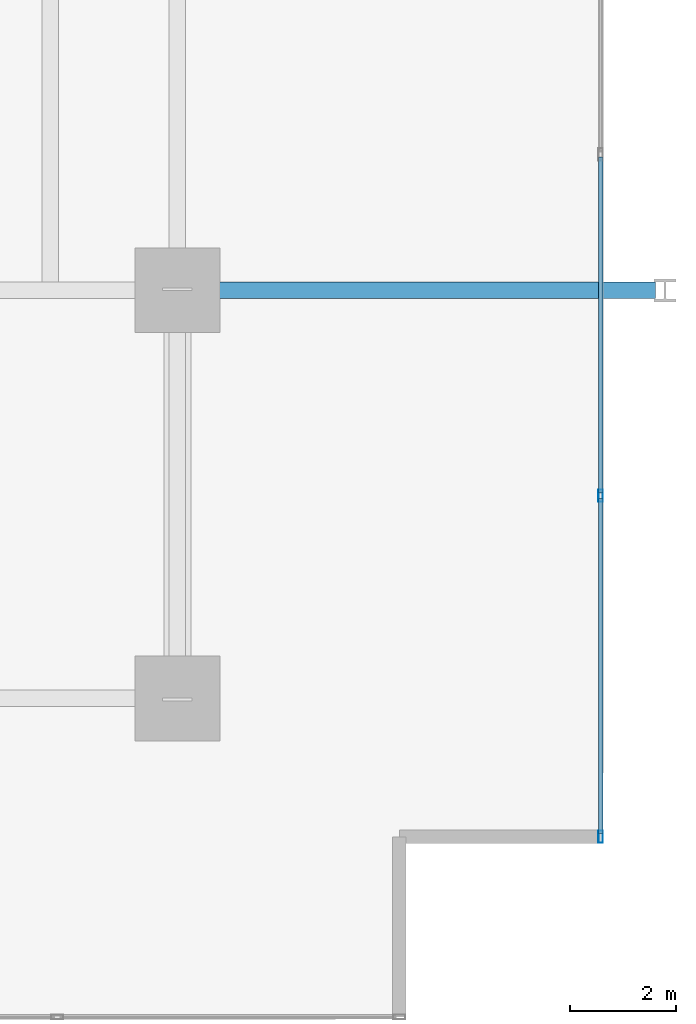
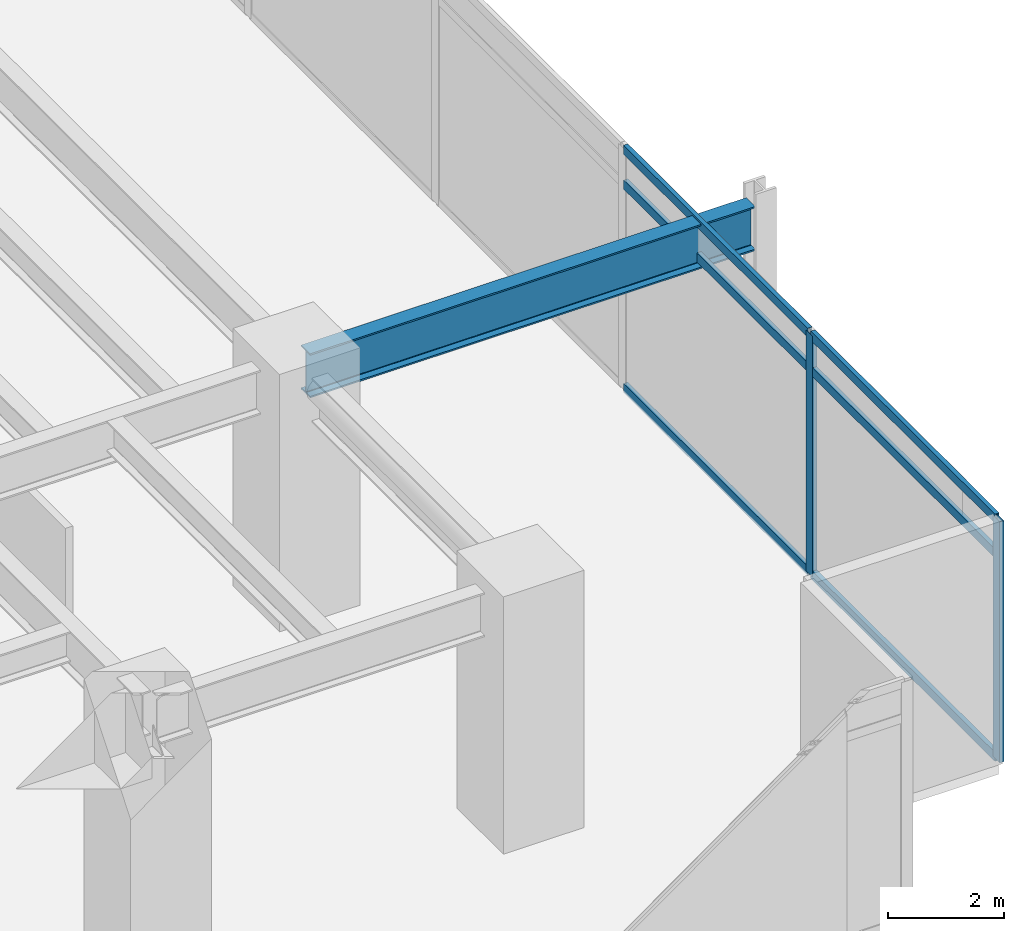
# One storey, part 9 of 23: 8 members, 1 beam, 1 element without a shape of its own.
"""IFC4 building model written with IfcOpenShell, lengths in metres."""

from ifc_helpers import new_model, si_unit, direction, frame, origin, origin_2d, place, context, subcontext, project, spatial, hollow_rectangle, i_section, extrude, material, material_profile, profile_set, type_object, element, aggregate, save


model = new_model("IFC4")

# Units and contexts
model_context = context("Model", 3, precision=1e-05, world=origin(), true_north=direction((0.0, 1.0)))
body_context = subcontext(model_context, "Body", "Model", "MODEL_VIEW")
ifc_project = project(units=[si_unit("LENGTHUNIT", "METRE"), si_unit("AREAUNIT", "SQUARE_METRE"), si_unit("VOLUMEUNIT", "CUBIC_METRE"), si_unit("PLANEANGLEUNIT", "RADIAN"), si_unit("MASSUNIT", "GRAM", prefix="KILO")], contexts=[model_context])

# Site, building, storey
site_placement = place(None, origin())
site = spatial("IfcSite", under=ifc_project, at=site_placement, CompositionType="ELEMENT")
building_placement = place(site_placement, origin())
building = spatial("IfcBuilding", under=site, at=building_placement, Name="Kovane Verandah Tower", CompositionType="ELEMENT")
storey_placement = place(building_placement, frame((0.0, 0.0, 107.60009765625)))
storey = spatial("IfcBuildingStorey", under=building, at=storey_placement, Name="L25", CompositionType="ELEMENT", Elevation=107.60009765625)

# Beam
ifc_material_1 = material(Name="Steel S460", Category="steel")
ifc_material_profile_1 = material_profile(ifc_material_1, i_section(OverallWidth=0.3076171875, OverallDepth=0.926513671875, WebThickness=0.01953125, FlangeThickness=0.031982421875, FilletRadius=0.01904296875, at=origin_2d()), Name="UB914x305x289")
ifc_profile_set_1 = profile_set([ifc_material_profile_1], Name="Steel S460")
beam_type = type_object("IfcBeamType", Name="BM-UB914x289", PredefinedType="BEAM", material=ifc_profile_set_1)
beam_placement = place(storey_placement, frame((58.580078125, 18.5, 4.63671875), z_axis=(1.0, 0.0, 0.0), x_axis=(0.0, 1.0, 0.0)))
element("IfcBeam", 1, at=beam_placement, inside=storey, type_object=beam_type, Name="L25 Primary Tower Girder G-VE1", PredefinedType="BEAM", context=body_context, shape_type="SweptSolid", body=[
    extrude(i_section(OverallWidth=0.3076171875, OverallDepth=0.926513671875, WebThickness=0.01953125, FlangeThickness=0.031982421875, FilletRadius=0.01904296875, at=origin_2d()), origin(), (0.0, 0.0, 1.0), 8.83984375),
])

# Curtain wall, members
ifc_material_2 = material(Name="Champagne Anodised Aluminium Frame with Low-E Clear Laminated Glass", Category="aluminium")
curtain_wall_type = type_object("IfcCurtainWallType", Name="CW-SYS-02-LOW", PredefinedType="NOTDEFINED", material=ifc_material_2)
curtain_wall_placement = place(storey_placement, origin())
curtain_wall = element("IfcCurtainWall", 2, at=curtain_wall_placement, inside=storey, type_object=curtain_wall_type, Name="L25 E Unitised Curtain Wall", PredefinedType="NOTDEFINED")
ifc_material_3 = material(Name="Champagne Anodised Aluminium 6063-T6", Category="aluminium")
ifc_material_profile_2 = material_profile(ifc_material_3, hollow_rectangle(XDim=0.0849609375, YDim=0.22998046875, WallThickness=0.00390625, at=origin_2d()), Name="AL85x230x4")
ifc_profile_set_2 = profile_set([ifc_material_profile_2], Name="Champagne Anodised Aluminium 6063-T6")
member_type_1 = type_object("IfcMemberType", Name="CW-MUL-85x230", PredefinedType="MULLION", material=ifc_profile_set_2)
member_1_placement = place(storey_placement, frame((66.386962890625, 8.189208984375, 0.02001953125), z_axis=(0.0, 0.0, 1.0), x_axis=(1.0, 0.0, 0.0)))
member_1 = element("IfcMember", 3, at=member_1_placement, type_object=member_type_1, Name="L25 E Unitised Curtain Wall Mullion 1", PredefinedType="MULLION", context=body_context, shape_type="SweptSolid", body=[
    extrude(hollow_rectangle(XDim=0.0849609375, YDim=0.22998046875, WallThickness=0.00390625, at=origin_2d()), origin(), (0.0, 0.0, 1.0), 5.059814453125),
])
member_2_placement = place(storey_placement, frame((66.386962890625, 14.626220703125, 0.02001953125), z_axis=(0.0, 0.0, 1.0), x_axis=(1.0, 0.0, 0.0)))
member_2 = element("IfcMember", 4, at=member_2_placement, type_object=member_type_1, Name="L25 E Unitised Curtain Wall Mullion 2", PredefinedType="MULLION", context=body_context, shape_type="SweptSolid", body=[
    extrude(hollow_rectangle(XDim=0.0849609375, YDim=0.22998046875, WallThickness=0.00390625, at=origin_2d()), origin(), (0.0, 0.0, 1.0), 5.059814453125),
])
ifc_material_profile_3 = material_profile(ifc_material_3, hollow_rectangle(XDim=0.0849609375, YDim=0.18994140625, WallThickness=0.00390625, at=origin_2d()), Name="AL85x190x4")
ifc_profile_set_3 = profile_set([ifc_material_profile_3], Name="Champagne Anodised Aluminium 6063-T6")
member_type_2 = type_object("IfcMemberType", Name="CW-TRN-85x190", PredefinedType="USERDEFINED", material=ifc_profile_set_3)
member_3_placement = place(storey_placement, frame((66.386962890625, 8.239013671875, 0.0498046875), z_axis=(0.0, 1.0, 0.0), x_axis=(-1.0, 0.0, 0.0)))
member_3 = element("IfcMember", 5, at=member_3_placement, type_object=member_type_2, Name="L25 E Unitised Curtain Wall Transom TB Bay 1", ObjectType="TRANSOM", PredefinedType="USERDEFINED", context=body_context, shape_type="SweptSolid", body=[
    extrude(hollow_rectangle(XDim=0.0849609375, YDim=0.18994140625, WallThickness=0.00390625, at=origin_2d()), origin(), (0.0, 0.0, 1.0), 6.337158203125),
])
member_4_placement = place(storey_placement, frame((66.386962890625, 8.239013671875, 4.31982421875), z_axis=(0.0, 1.0, 0.0), x_axis=(-1.0, 0.0, 0.0)))
member_4 = element("IfcMember", 6, at=member_4_placement, type_object=member_type_2, Name="L25 E Unitised Curtain Wall Transom TM Bay 1", ObjectType="TRANSOM", PredefinedType="USERDEFINED", context=body_context, shape_type="SweptSolid", body=[
    extrude(hollow_rectangle(XDim=0.0849609375, YDim=0.18994140625, WallThickness=0.00390625, at=origin_2d()), origin(), (0.0, 0.0, 1.0), 6.337158203125),
])
member_5_placement = place(storey_placement, frame((66.386962890625, 8.239013671875, 5.0498046875), z_axis=(0.0, 1.0, 0.0), x_axis=(-1.0, 0.0, 0.0)))
member_5 = element("IfcMember", 7, at=member_5_placement, type_object=member_type_2, Name="L25 E Unitised Curtain Wall Transom TT Bay 1", ObjectType="TRANSOM", PredefinedType="USERDEFINED", context=body_context, shape_type="SweptSolid", body=[
    extrude(hollow_rectangle(XDim=0.0849609375, YDim=0.18994140625, WallThickness=0.00390625, at=origin_2d()), origin(), (0.0, 0.0, 1.0), 6.337158203125),
])
member_6_placement = place(storey_placement, frame((66.386962890625, 14.676025390625, 0.0498046875), z_axis=(0.0, 1.0, 0.0), x_axis=(-1.0, 0.0, 0.0)))
member_6 = element("IfcMember", 8, at=member_6_placement, type_object=member_type_2, Name="L25 E Unitised Curtain Wall Transom TB Bay 2", ObjectType="TRANSOM", PredefinedType="USERDEFINED", context=body_context, shape_type="SweptSolid", body=[
    extrude(hollow_rectangle(XDim=0.0849609375, YDim=0.18994140625, WallThickness=0.00390625, at=origin_2d()), origin(), (0.0, 0.0, 1.0), 6.3369140625),
])
member_7_placement = place(storey_placement, frame((66.386962890625, 14.676025390625, 4.31982421875), z_axis=(0.0, 1.0, 0.0), x_axis=(-1.0, 0.0, 0.0)))
member_7 = element("IfcMember", 9, at=member_7_placement, type_object=member_type_2, Name="L25 E Unitised Curtain Wall Transom TM Bay 2", ObjectType="TRANSOM", PredefinedType="USERDEFINED", context=body_context, shape_type="SweptSolid", body=[
    extrude(hollow_rectangle(XDim=0.0849609375, YDim=0.18994140625, WallThickness=0.00390625, at=origin_2d()), origin(), (0.0, 0.0, 1.0), 6.3369140625),
])
member_8_placement = place(storey_placement, frame((66.386962890625, 14.676025390625, 5.0498046875), z_axis=(0.0, 1.0, 0.0), x_axis=(-1.0, 0.0, 0.0)))
member_8 = element("IfcMember", 10, at=member_8_placement, type_object=member_type_2, Name="L25 E Unitised Curtain Wall Transom TT Bay 2", ObjectType="TRANSOM", PredefinedType="USERDEFINED", context=body_context, shape_type="SweptSolid", body=[
    extrude(hollow_rectangle(XDim=0.0849609375, YDim=0.18994140625, WallThickness=0.00390625, at=origin_2d()), origin(), (0.0, 0.0, 1.0), 6.3369140625),
])
aggregate(curtain_wall, [member_1, member_2, member_3, member_4, member_5, member_6, member_7, member_8])

save(model, "model.ifc")
